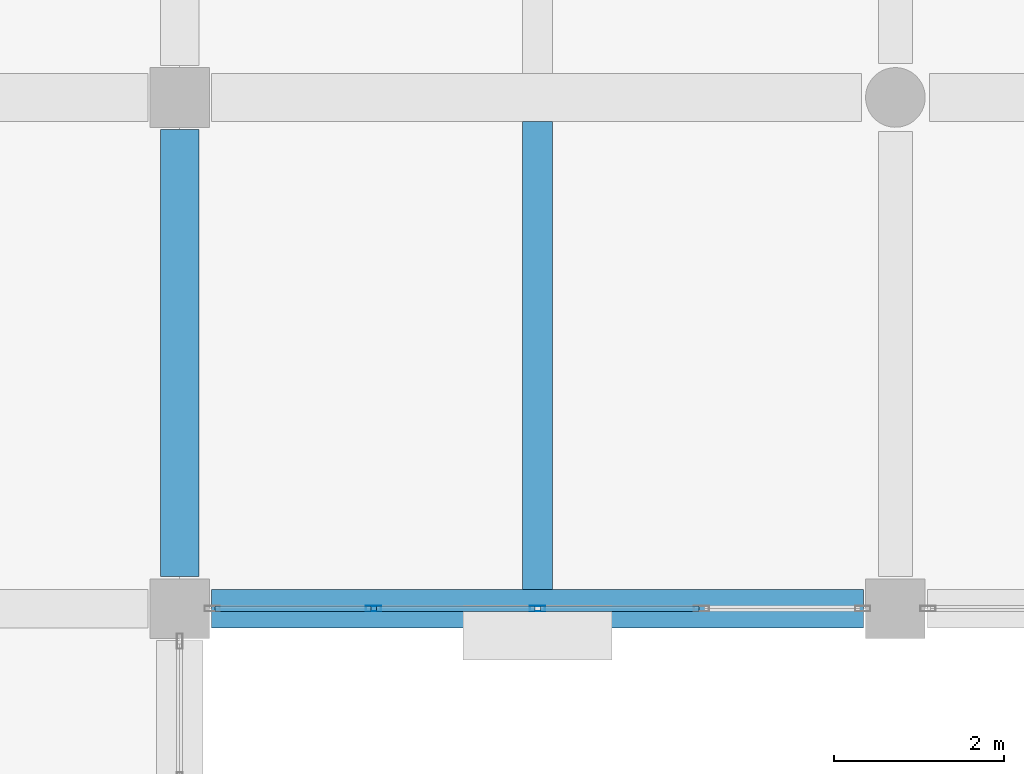
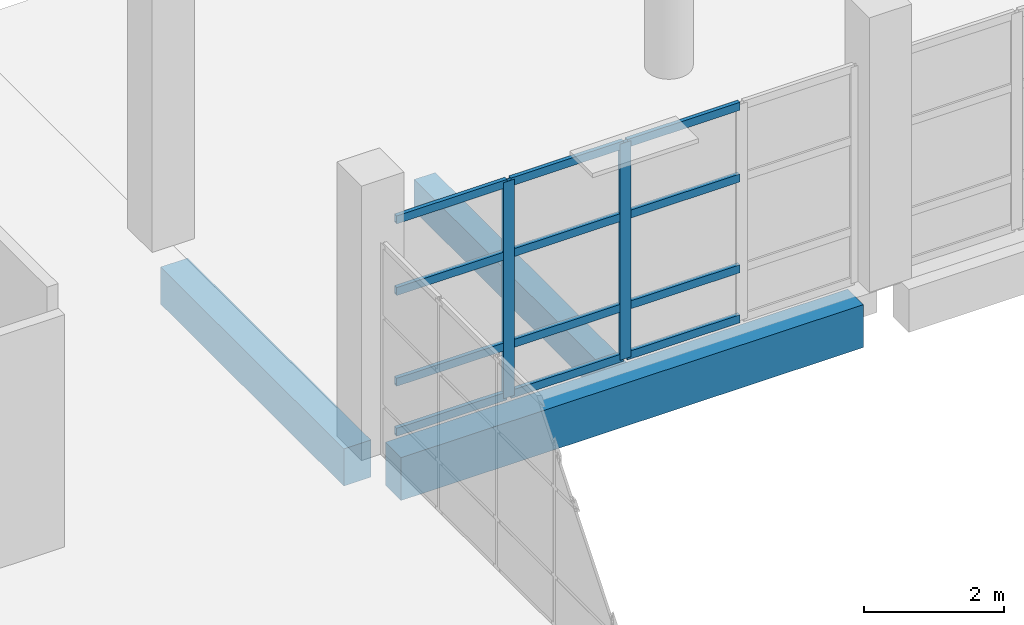
# One storey, part 15 of 91: 14 members, 3 beams, 1 element without a shape of its own.
"""IFC4 building model written with IfcOpenShell, lengths in metres."""

import ifcopenshell
import ifcopenshell.guid

model = None  # the IFC model being written
_history = None  # IfcOwnerHistory: only IFC2X3 demands one
_inside = {}  # id of a spatial element -> (the spatial element, [elements in it])
_under = {}  # id of a project, library or spatial element -> (it, [spatial elements below it])
_declared = {}  # id of a project -> (the project, [libraries it declares])
_typed = {}  # id of a type object -> (the type object, [elements of that type])
_made_of = {}  # id of a material, layer set ... -> (it, [elements and type objects made of it])


def new_model(schema):
    """Start an empty IFC model of exactly this schema.

    Asked for "IFC4X3", IfcOpenShell would pick the latest addendum, in which some entities
    have other attributes; the version numbers below select the first issue.
    IFC2X3 requires an IfcOwnerHistory on every rooted entity: one is made here for all.
    """
    global model, _history
    if schema == "IFC4X3":
        model = ifcopenshell.file(schema_version=(4, 3, 0, 0))
    else:
        model = ifcopenshell.file(schema=schema)
    _inside.clear()
    _under.clear()
    _declared.clear()
    _typed.clear()
    _made_of.clear()
    _history = None
    if model.schema == "IFC2X3":
        org = make("IfcOrganization", Name="unknown")
        user = make(
            "IfcPersonAndOrganization",
            ThePerson=make("IfcPerson", FamilyName="unknown"),
            TheOrganization=org,
        )
        app = make(
            "IfcApplication",
            ApplicationDeveloper=org,
            Version="unknown",
            ApplicationFullName="unknown",
            ApplicationIdentifier="unknown",
        )
        _history = make(
            "IfcOwnerHistory",
            OwningUser=user,
            OwningApplication=app,
            ChangeAction="ADDED",
            CreationDate=0,
        )
    return model


def make(cls, **values):
    """One entity of the class cls with the attributes given. An attribute that is None is left unset."""
    return model.create_entity(
        cls, **{name: value for name, value in values.items() if value is not None}
    )


def rooted(cls, **values):
    """An entity with a GlobalId (a new one), such as an element, a storey or a relation."""
    return make(cls, GlobalId=ifcopenshell.guid.new(), OwnerHistory=_history, **values)


def si_unit(unit_type, name, prefix=None):
    """IfcSIUnit, for example si_unit("LENGTHUNIT", "METRE", prefix="MILLI")."""
    return make("IfcSIUnit", UnitType=unit_type, Prefix=prefix, Name=name)


def assignment(units):
    """IfcUnitAssignment: the units of a project."""
    return None if units is None else make("IfcUnitAssignment", Units=units)


def point(xyz):
    """IfcCartesianPoint."""
    return None if xyz is None else make("IfcCartesianPoint", Coordinates=xyz)


def direction(xyz):
    """IfcDirection."""
    return None if xyz is None else make("IfcDirection", DirectionRatios=xyz)


def frame(location, z_axis=None, x_axis=None):
    """IfcAxis2Placement3D, a coordinate frame: its origin and axes. An axis left out is left unset."""
    return make(
        "IfcAxis2Placement3D",
        Location=point(location),
        Axis=direction(z_axis),
        RefDirection=direction(x_axis),
    )


def frame_2d(location, x_axis=None):
    """IfcAxis2Placement2D, a coordinate frame in the plane: its origin and x axis."""
    return make(
        "IfcAxis2Placement2D", Location=point(location), RefDirection=direction(x_axis)
    )


def origin():
    """The frame at (0, 0, 0) with its axes left unset."""
    return frame((0.0, 0.0, 0.0))


def origin_2d():
    """The frame at (0, 0) in the plane with its x axis left unset."""
    return frame_2d((0.0, 0.0))


def place(relative_to, where):
    """IfcLocalPlacement: puts the frame where relative to a parent placement (None: the world)."""
    return make(
        "IfcLocalPlacement", PlacementRelTo=relative_to, RelativePlacement=where
    )


def context(
    kind, dimensions, precision=None, world=None, true_north=None, identifier=None
):
    """IfcGeometricRepresentationContext, for example the 3D "Model" context."""
    return make(
        "IfcGeometricRepresentationContext",
        ContextIdentifier=identifier,
        ContextType=kind,
        CoordinateSpaceDimension=dimensions,
        Precision=precision,
        WorldCoordinateSystem=world,
        TrueNorth=true_north,
    )


def subcontext(parent, identifier, kind, view, scale=None):
    """IfcGeometricRepresentationSubContext, for example "Body" below "Model"."""
    return make(
        "IfcGeometricRepresentationSubContext",
        ContextIdentifier=identifier,
        ContextType=kind,
        ParentContext=parent,
        TargetScale=scale,
        TargetView=view,
    )


def project(units=None, contexts=None):
    """IfcProject with its units and contexts."""
    return rooted(
        "IfcProject",
        Name="project",
        RepresentationContexts=contexts,
        UnitsInContext=assignment(units),
    )


def spatial(cls, under=None, at=None, **own):
    """A site, building, storey or space (cls), placed at a placement, below another one or the project."""
    s = rooted(cls, ObjectPlacement=at, **own)
    if under is not None:
        _under.setdefault(under.id(), (under, []))[1].append(s)
    return s


def profile(cls, at=None, kind="AREA", **sizes):
    """A parametric profile (cls). Its sizes go by their IFC names, for example OverallWidth=200.0."""
    return make(cls, ProfileType=kind, Position=at, **sizes)


def rectangle(**sizes):
    """IfcRectangleProfileDef."""
    return profile("IfcRectangleProfileDef", **sizes)


def hollow_rectangle(**sizes):
    """IfcRectangleHollowProfileDef."""
    return profile("IfcRectangleHollowProfileDef", **sizes)


def extrude(swept, where, along, depth):
    """IfcExtrudedAreaSolid: the profile swept, set in the frame where, extruded along a direction by depth."""
    return make(
        "IfcExtrudedAreaSolid",
        SweptArea=swept,
        Position=where,
        ExtrudedDirection=direction(along),
        Depth=depth,
    )


def shape(context_of_items, identifier, shape_type, items):
    """IfcShapeRepresentation: the items that make up one representation, for example the "Body"."""
    return make(
        "IfcShapeRepresentation",
        ContextOfItems=context_of_items,
        RepresentationIdentifier=identifier,
        RepresentationType=shape_type,
        Items=items,
    )


def material(Name=None, Category=None):
    """IfcMaterial."""
    return make("IfcMaterial", Name=Name, Category=Category)


def material_profile(
    of_material, cross_section, Name=None, Category=None, Priority=None
):
    """IfcMaterialProfile: a cross section and its material."""
    return make(
        "IfcMaterialProfile",
        Name=Name,
        Material=of_material,
        Profile=cross_section,
        Priority=Priority,
        Category=Category,
    )


def profile_set(profiles, Name=None, composite=None):
    """IfcMaterialProfileSet."""
    return make(
        "IfcMaterialProfileSet",
        Name=Name,
        MaterialProfiles=profiles,
        CompositeProfile=composite,
    )


def made_of(thing, what):
    """Note that an element or type object is made of a material, layer set ...; save() writes the relation."""
    if what is not None:
        _made_of.setdefault(what.id(), (what, []))[1].append(thing)
    return thing


def type_object(cls, material=None, **own):
    """A type object (cls), such as IfcWallType, which elements share."""
    return made_of(rooted(cls, **own), material)


def element(
    cls,
    number,
    at=None,
    inside=None,
    cuts=None,
    type_object=None,
    material=None,
    context=None,
    identifier="Body",
    shape_type=None,
    held_by="IfcProductDefinitionShape",
    body=None,
    shapes=None,
    **own,
):
    """One element of the class cls, such as IfcWall. Its Tag is "e" and its number.

    at: its placement. inside: the storey or other place that contains it. cuts: it is an
    opening in that element (IfcRelVoidsElement). A single representation is given by context,
    identifier, shape_type and body (its items); several are given by shapes. held_by: the class
    of the entity that holds the representations. save() writes the other relations.
    """
    e = rooted(cls, Tag="e%d" % number, ObjectPlacement=at, **own)
    if body is not None:
        shapes = [shape(context, identifier, shape_type, body)]
    if shapes is not None:
        e.Representation = make(held_by, Representations=shapes)
    if inside is not None:
        _inside.setdefault(inside.id(), (inside, []))[1].append(e)
    if cuts is not None:
        rooted(
            "IfcRelVoidsElement", RelatingBuildingElement=cuts, RelatedOpeningElement=e
        )
    if type_object is not None:
        _typed.setdefault(type_object.id(), (type_object, []))[1].append(e)
    return made_of(e, material)


def aggregate(whole, parts):
    """IfcRelAggregates: a whole, such as a stair, and the parts it consists of."""
    return rooted("IfcRelAggregates", RelatingObject=whole, RelatedObjects=parts)


def save(model, path):
    """Write the relations noted so far, then the file.

    IfcRelAggregates (storeys below a building ...), IfcRelContainedInSpatialStructure (elements
    in a storey), IfcRelDefinesByType, IfcRelAssociatesMaterial and IfcRelDeclares: one each for
    every whole, place, type object, material and project.
    """
    for whole, parts in _under.values():
        aggregate(whole, parts)
    for where, things in _inside.values():
        rooted(
            "IfcRelContainedInSpatialStructure",
            RelatedElements=things,
            RelatingStructure=where,
        )
    for kind, things in _typed.values():
        rooted("IfcRelDefinesByType", RelatedObjects=things, RelatingType=kind)
    for what, things in _made_of.values():
        rooted("IfcRelAssociatesMaterial", RelatedObjects=things, RelatingMaterial=what)
    for by, libraries in _declared.values():
        rooted("IfcRelDeclares", RelatingContext=by, RelatedDefinitions=libraries)
    model.write(path)


model = new_model("IFC4")

# Units and contexts
model_context = context("Model", 3, precision=1e-05, world=origin(), true_north=direction((0.0, 1.0)))
body_context = subcontext(model_context, "Body", "Model", "MODEL_VIEW")
ifc_project = project(units=[si_unit("LENGTHUNIT", "METRE"), si_unit("AREAUNIT", "SQUARE_METRE"), si_unit("VOLUMEUNIT", "CUBIC_METRE"), si_unit("PLANEANGLEUNIT", "RADIAN"), si_unit("MASSUNIT", "GRAM", prefix="KILO")], contexts=[model_context])

# Site, building, storey
site_placement = place(None, origin())
site = spatial("IfcSite", under=ifc_project, at=site_placement, CompositionType="ELEMENT")
building_placement = place(site_placement, origin())
building = spatial("IfcBuilding", under=site, at=building_placement, Name="Pellamere Symphony Hall", CompositionType="ELEMENT")
storey_placement = place(building_placement, frame((0.0, 0.0, 5.39990234375)))
storey = spatial("IfcBuildingStorey", under=building, at=storey_placement, Name="L01", CompositionType="ELEMENT", Elevation=5.39990234375)

# Curtain wall, members
ifc_material_1 = material(Name="Thermally Broken Anodised Aluminium 6063-T6 Curtain Wall", Category="aluminium")
curtain_wall_type = type_object("IfcCurtainWallType", Name="Curtain Wall CW-02 (Winter-Garden South Concourse Curtain Wall)", PredefinedType="NOTDEFINED", material=ifc_material_1)
curtain_wall_placement = place(storey_placement, origin())
curtain_wall = element("IfcCurtainWall", 1, at=curtain_wall_placement, inside=storey, type_object=curtain_wall_type, Name="Winter-Garden South Curtain Wall (L01 Bay 1)", PredefinedType="NOTDEFINED")
ifc_material_2 = material(Name="Anodised Architectural Aluminium 6063-T6", Category="aluminium")
ifc_material_profile_1 = material_profile(ifc_material_2, hollow_rectangle(XDim=0.06494140625, YDim=0.179931640625, WallThickness=0.00390625, at=origin_2d()), Name="ALU-M65X180X4")
ifc_profile_set_1 = profile_set([ifc_material_profile_1], Name="Anodised Architectural Aluminium 6063-T6")
member_type_1 = type_object("IfcMemberType", Name="Curtain Wall Mullion ML-02 ALU-M65X180X4", PredefinedType="MULLION", material=ifc_profile_set_1)
member_1_placement = place(storey_placement, frame((44.27490234375, 18.0, 0.0), z_axis=(0.0, 0.0, 1.0), x_axis=(0.0, 1.0, 0.0)))
member_1 = element("IfcMember", 2, at=member_1_placement, type_object=member_type_1, Name="CW2-066 crystal mullion 2", PredefinedType="MULLION", context=body_context, shape_type="SweptSolid", body=[
    extrude(hollow_rectangle(XDim=0.06494140625, YDim=0.179931640625, WallThickness=0.00390625, at=origin_2d()), origin(), (0.0, 0.0, 1.0), 3.780029296875),
])
member_2_placement = place(storey_placement, frame((46.199951171875, 18.0, 0.0), z_axis=(0.0, 0.0, 1.0), x_axis=(0.0, 1.0, 0.0)))
member_2 = element("IfcMember", 3, at=member_2_placement, type_object=member_type_1, Name="CW2-066 crystal mullion 3", PredefinedType="MULLION", context=body_context, shape_type="SweptSolid", body=[
    extrude(hollow_rectangle(XDim=0.06494140625, YDim=0.179931640625, WallThickness=0.00390625, at=origin_2d()), origin(), (0.0, 0.0, 1.0), 3.780029296875),
])
ifc_material_profile_2 = material_profile(ifc_material_2, hollow_rectangle(XDim=0.06494140625, YDim=0.139892578125, WallThickness=0.00390625, at=origin_2d()), Name="ALU-T65X140X4")
ifc_profile_set_2 = profile_set([ifc_material_profile_2], Name="Anodised Architectural Aluminium 6063-T6")
member_type_2 = type_object("IfcMemberType", Name="Curtain Wall Transom TR-02 ALU-T65X140X4", PredefinedType="USERDEFINED", material=ifc_profile_set_2)
member_3_placement = place(storey_placement, frame((42.4150390625, 18.0, 0.03271484375), z_axis=(1.0, 0.0, 0.0), x_axis=(0.0, 1.0, 0.0)))
member_3 = element("IfcMember", 4, at=member_3_placement, type_object=member_type_2, Name="CW2-066 crystal transom 1.1", ObjectType="TRANSOM", PredefinedType="USERDEFINED", context=body_context, shape_type="SweptSolid", body=[
    extrude(hollow_rectangle(XDim=0.06494140625, YDim=0.139892578125, WallThickness=0.00390625, at=origin_2d()), origin(), (0.0, 0.0, 1.0), 1.827392578125),
])
member_4_placement = place(storey_placement, frame((42.4150390625, 18.0, 0.9072265625), z_axis=(1.0, 0.0, 0.0), x_axis=(0.0, 1.0, 0.0)))
member_4 = element("IfcMember", 5, at=member_4_placement, type_object=member_type_2, Name="CW2-066 crystal transom 1.2", ObjectType="TRANSOM", PredefinedType="USERDEFINED", context=body_context, shape_type="SweptSolid", body=[
    extrude(hollow_rectangle(XDim=0.06494140625, YDim=0.139892578125, WallThickness=0.00390625, at=origin_2d()), origin(), (0.0, 0.0, 1.0), 1.827392578125),
])
member_5_placement = place(storey_placement, frame((42.4150390625, 18.0, 2.494873046875), z_axis=(1.0, 0.0, 0.0), x_axis=(0.0, 1.0, 0.0)))
member_5 = element("IfcMember", 6, at=member_5_placement, type_object=member_type_2, Name="CW2-066 crystal transom 1.3", ObjectType="TRANSOM", PredefinedType="USERDEFINED", context=body_context, shape_type="SweptSolid", body=[
    extrude(hollow_rectangle(XDim=0.06494140625, YDim=0.139892578125, WallThickness=0.00390625, at=origin_2d()), origin(), (0.0, 0.0, 1.0), 1.827392578125),
])
member_6_placement = place(storey_placement, frame((42.4150390625, 18.0, 3.74755859375), z_axis=(1.0, 0.0, 0.0), x_axis=(0.0, 1.0, 0.0)))
member_6 = element("IfcMember", 7, at=member_6_placement, type_object=member_type_2, Name="CW2-066 crystal transom 1.4", ObjectType="TRANSOM", PredefinedType="USERDEFINED", context=body_context, shape_type="SweptSolid", body=[
    extrude(hollow_rectangle(XDim=0.06494140625, YDim=0.139892578125, WallThickness=0.00390625, at=origin_2d()), origin(), (0.0, 0.0, 1.0), 1.827392578125),
])
member_7_placement = place(storey_placement, frame((44.3076171875, 18.0, 0.03271484375), z_axis=(1.0, 0.0, 0.0), x_axis=(0.0, 1.0, 0.0)))
member_7 = element("IfcMember", 8, at=member_7_placement, type_object=member_type_2, Name="CW2-066 crystal transom 2.1", ObjectType="TRANSOM", PredefinedType="USERDEFINED", context=body_context, shape_type="SweptSolid", body=[
    extrude(hollow_rectangle(XDim=0.06494140625, YDim=0.139892578125, WallThickness=0.00390625, at=origin_2d()), origin(), (0.0, 0.0, 1.0), 1.85986328125),
])
member_8_placement = place(storey_placement, frame((44.3076171875, 18.0, 0.9072265625), z_axis=(1.0, 0.0, 0.0), x_axis=(0.0, 1.0, 0.0)))
member_8 = element("IfcMember", 9, at=member_8_placement, type_object=member_type_2, Name="CW2-066 crystal transom 2.2", ObjectType="TRANSOM", PredefinedType="USERDEFINED", context=body_context, shape_type="SweptSolid", body=[
    extrude(hollow_rectangle(XDim=0.06494140625, YDim=0.139892578125, WallThickness=0.00390625, at=origin_2d()), origin(), (0.0, 0.0, 1.0), 1.85986328125),
])
member_9_placement = place(storey_placement, frame((44.3076171875, 18.0, 2.494873046875), z_axis=(1.0, 0.0, 0.0), x_axis=(0.0, 1.0, 0.0)))
member_9 = element("IfcMember", 10, at=member_9_placement, type_object=member_type_2, Name="CW2-066 crystal transom 2.3", ObjectType="TRANSOM", PredefinedType="USERDEFINED", context=body_context, shape_type="SweptSolid", body=[
    extrude(hollow_rectangle(XDim=0.06494140625, YDim=0.139892578125, WallThickness=0.00390625, at=origin_2d()), origin(), (0.0, 0.0, 1.0), 1.85986328125),
])
member_10_placement = place(storey_placement, frame((44.3076171875, 18.0, 3.74755859375), z_axis=(1.0, 0.0, 0.0), x_axis=(0.0, 1.0, 0.0)))
member_10 = element("IfcMember", 11, at=member_10_placement, type_object=member_type_2, Name="CW2-066 crystal transom 2.4", ObjectType="TRANSOM", PredefinedType="USERDEFINED", context=body_context, shape_type="SweptSolid", body=[
    extrude(hollow_rectangle(XDim=0.06494140625, YDim=0.139892578125, WallThickness=0.00390625, at=origin_2d()), origin(), (0.0, 0.0, 1.0), 1.85986328125),
])
member_11_placement = place(storey_placement, frame((46.232421875, 18.0, 0.03271484375), z_axis=(1.0, 0.0, 0.0), x_axis=(0.0, 1.0, 0.0)))
member_11 = element("IfcMember", 12, at=member_11_placement, type_object=member_type_2, Name="CW2-066 crystal transom 3.1", ObjectType="TRANSOM", PredefinedType="USERDEFINED", context=body_context, shape_type="SweptSolid", body=[
    extrude(hollow_rectangle(XDim=0.06494140625, YDim=0.139892578125, WallThickness=0.00390625, at=origin_2d()), origin(), (0.0, 0.0, 1.0), 1.860107421875),
])
member_12_placement = place(storey_placement, frame((46.232421875, 18.0, 0.9072265625), z_axis=(1.0, 0.0, 0.0), x_axis=(0.0, 1.0, 0.0)))
member_12 = element("IfcMember", 13, at=member_12_placement, type_object=member_type_2, Name="CW2-066 crystal transom 3.2", ObjectType="TRANSOM", PredefinedType="USERDEFINED", context=body_context, shape_type="SweptSolid", body=[
    extrude(hollow_rectangle(XDim=0.06494140625, YDim=0.139892578125, WallThickness=0.00390625, at=origin_2d()), origin(), (0.0, 0.0, 1.0), 1.860107421875),
])
member_13_placement = place(storey_placement, frame((46.232421875, 18.0, 2.494873046875), z_axis=(1.0, 0.0, 0.0), x_axis=(0.0, 1.0, 0.0)))
member_13 = element("IfcMember", 14, at=member_13_placement, type_object=member_type_2, Name="CW2-066 crystal transom 3.3", ObjectType="TRANSOM", PredefinedType="USERDEFINED", context=body_context, shape_type="SweptSolid", body=[
    extrude(hollow_rectangle(XDim=0.06494140625, YDim=0.139892578125, WallThickness=0.00390625, at=origin_2d()), origin(), (0.0, 0.0, 1.0), 1.860107421875),
])
member_14_placement = place(storey_placement, frame((46.232421875, 18.0, 3.74755859375), z_axis=(1.0, 0.0, 0.0), x_axis=(0.0, 1.0, 0.0)))
member_14 = element("IfcMember", 15, at=member_14_placement, type_object=member_type_2, Name="CW2-066 crystal transom 3.4", ObjectType="TRANSOM", PredefinedType="USERDEFINED", context=body_context, shape_type="SweptSolid", body=[
    extrude(hollow_rectangle(XDim=0.06494140625, YDim=0.139892578125, WallThickness=0.00390625, at=origin_2d()), origin(), (0.0, 0.0, 1.0), 1.860107421875),
])
aggregate(curtain_wall, [member_1, member_2, member_3, member_4, member_5, member_6, member_7, member_8, member_9, member_10, member_11, member_12, member_13, member_14])

# Beams
ifc_material_3 = material(Name="Concrete 40 MPa", Category="concrete")
ifc_material_profile_3 = material_profile(ifc_material_3, rectangle(XDim=0.449951171875, YDim=0.64990234375, at=origin_2d()), Name="RC 450x650")
ifc_profile_set_3 = profile_set([ifc_material_profile_3], Name="Concrete 40 MPa")
beam_type_1 = type_object("IfcBeamType", Name="RC CB-08 450x650", PredefinedType="BEAM", material=ifc_profile_set_3)
beam_1_placement = place(storey_placement, frame((42.0, 18.375, -0.60498046875), z_axis=(0.0, 1.0, 0.0), x_axis=(-1.0, 0.0, 0.0)))
element("IfcBeam", 16, at=beam_1_placement, inside=storey, type_object=beam_type_1, Name="Girder CB-08-Y0742 (L01)", PredefinedType="BEAM", context=body_context, shape_type="SweptSolid", body=[
    extrude(rectangle(XDim=0.449951171875, YDim=0.64990234375, at=origin_2d()), origin(), (0.0, 0.0, 1.0), 5.25),
])
ifc_material_4 = material(Name="Concrete 35 MPa", Category="concrete")
ifc_material_profile_4 = material_profile(ifc_material_4, rectangle(XDim=0.35009765625, YDim=0.550048828125, at=origin_2d()), Name="RC 350x550")
ifc_profile_set_4 = profile_set([ifc_material_profile_4], Name="Concrete 35 MPa")
beam_type_2 = type_object("IfcBeamType", Name="RC CB-10 350x550", PredefinedType="BEAM", material=ifc_profile_set_4)
beam_2_placement = place(storey_placement, frame((46.199951171875, 18.22509765625, -0.56982421875), z_axis=(0.0, 1.0, 0.0), x_axis=(-1.0, 0.0, 0.0)))
element("IfcBeam", 17, at=beam_2_placement, inside=storey, type_object=beam_type_2, Name="Secondary Floor Beam CB-10-M0502 (L01)", PredefinedType="BEAM", context=body_context, shape_type="SweptSolid", body=[
    extrude(rectangle(XDim=0.35009765625, YDim=0.550048828125, at=origin_2d()), origin(), (0.0, 0.0, 1.0), 5.494873046875),
])
ifc_material_profile_5 = material_profile(ifc_material_3, rectangle(XDim=0.449951171875, YDim=0.75, at=origin_2d()), Name="RC 450x750")
ifc_profile_set_5 = profile_set([ifc_material_profile_5], Name="Concrete 40 MPa")
beam_type_3 = type_object("IfcBeamType", Name="RC CB-12 450x750", PredefinedType="SPANDREL", material=ifc_profile_set_5)
beam_3_placement = place(storey_placement, frame((42.375, 18.0, -0.65478515625), z_axis=(1.0, 0.0, 0.0), x_axis=(0.0, 1.0, 0.0)))
element("IfcBeam", 18, at=beam_3_placement, inside=storey, type_object=beam_type_3, Name="Girder CB-12-X0547 (L01)", PredefinedType="SPANDREL", context=body_context, shape_type="SweptSolid", body=[
    extrude(rectangle(XDim=0.449951171875, YDim=0.75, at=origin_2d()), origin(), (0.0, 0.0, 1.0), 7.64990234375),
])

save(model, "model.ifc")
